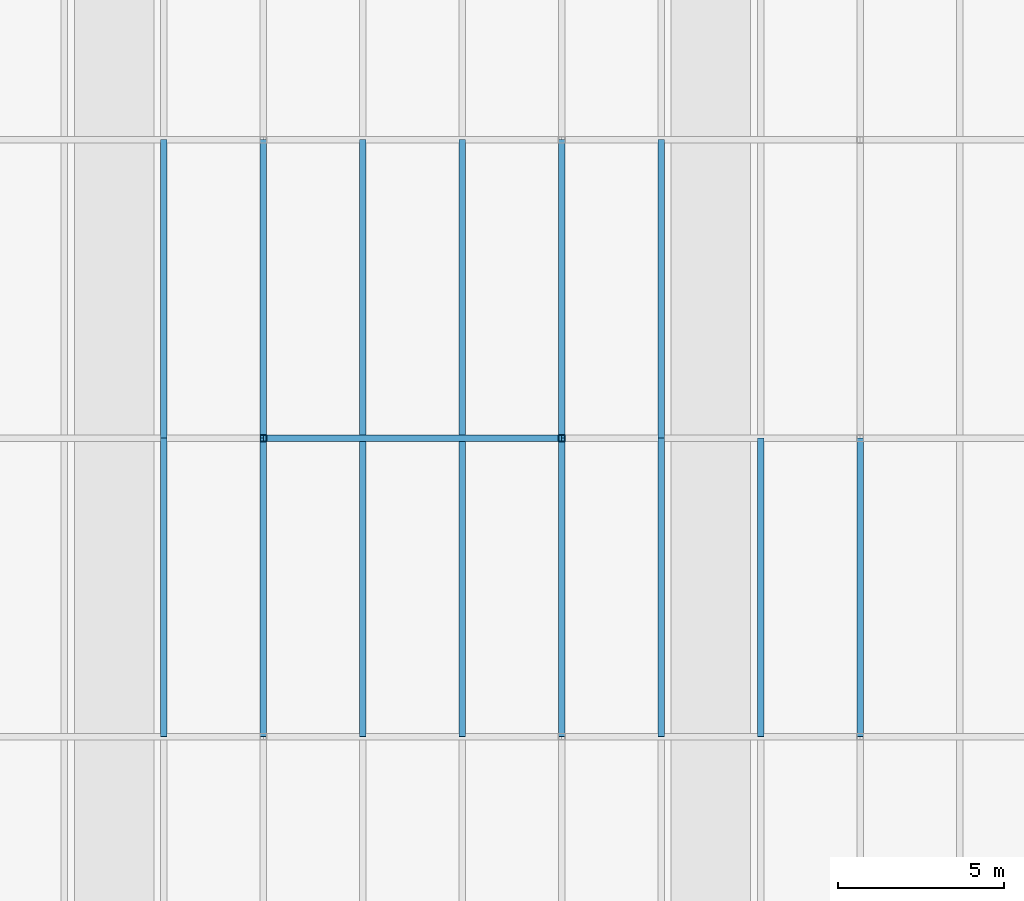
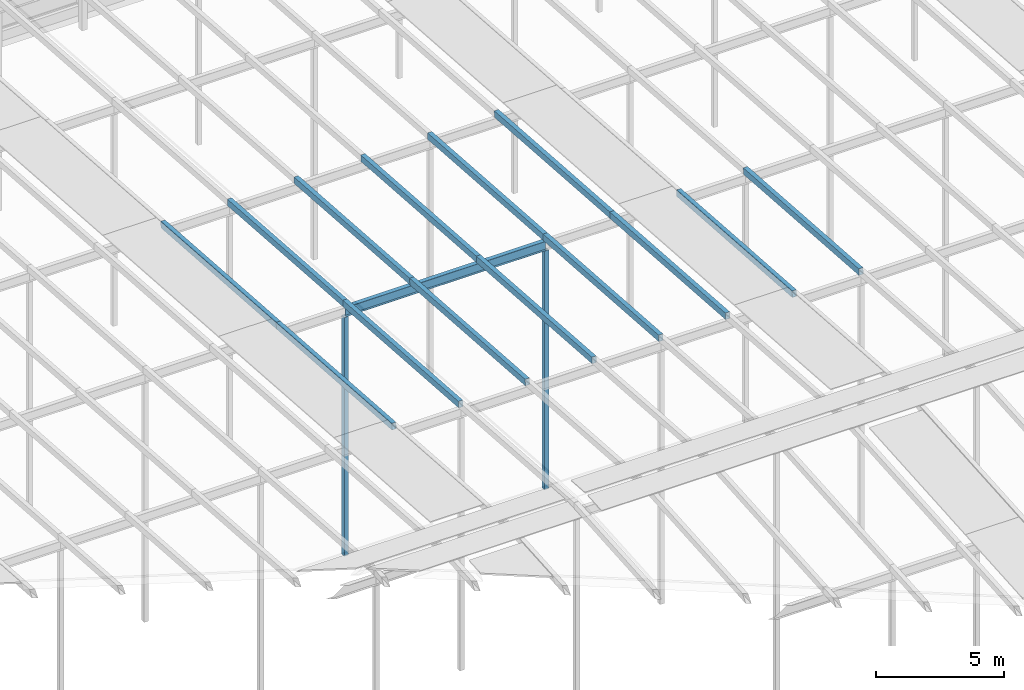
# One storey, part 39 of 84: 16 members, 1 beam.
"""IFC4 building model written with IfcOpenShell, lengths in metres."""

from ifc_helpers import new_model, si_unit, direction, frame, origin, origin_2d, place, context, subcontext, project, spatial, hollow_rectangle, i_section, extrude, material, material_profile, profile_set, type_object, element, save


model = new_model("IFC4")

# Units and contexts
model_context = context("Model", 3, precision=1e-05, world=origin(), true_north=direction((0.0, 1.0)))
body_context = subcontext(model_context, "Body", "Model", "MODEL_VIEW")
ifc_project = project(units=[si_unit("LENGTHUNIT", "METRE"), si_unit("AREAUNIT", "SQUARE_METRE"), si_unit("VOLUMEUNIT", "CUBIC_METRE"), si_unit("PLANEANGLEUNIT", "RADIAN"), si_unit("MASSUNIT", "GRAM", prefix="KILO")], contexts=[model_context])

# Site, building, storey
site_placement = place(None, origin())
site = spatial("IfcSite", under=ifc_project, at=site_placement, CompositionType="ELEMENT")
building_placement = place(site_placement, origin())
building = spatial("IfcBuilding", under=site, at=building_placement, Name="Silverbay Arena", CompositionType="ELEMENT")
storey_placement = place(building_placement, frame((0.0, 0.0, 47.10009765625)))
storey = spatial("IfcBuildingStorey", under=building, at=storey_placement, Name="ROOF", CompositionType="ELEMENT", Elevation=47.10009765625)

# Members
ifc_material_1 = material(Name="Steel S355", Category="steel")
ifc_material_profile_1 = material_profile(ifc_material_1, hollow_rectangle(XDim=0.199951171875, YDim=0.300048828125, WallThickness=0.00634765625, at=origin_2d()), Name="RHS 300x200x6.3")
ifc_profile_set_1 = profile_set([ifc_material_profile_1], Name="Steel S355")
member_type_1 = type_object("IfcMemberType", Name="Purlin RHS 300x200x6.3", PredefinedType="PURLIN", material=ifc_profile_set_1)
for number, where, z_axis, x_axis, name in (
    (1, (132.0, 90.0, 11.99951171875), (0.0, 0.997402911363, -0.072023832195), (-1.0, 0.0, 0.0), "ROOF PURLIN crown line 18 bay 08"),
    (2, (132.0, 99.0, 11.349609375), (0.0, 0.997400967367, -0.07205074805), (-1.0, 0.0, 0.0), "ROOF PURLIN crown line 18 bay 09"),
    (3, (135.0, 90.0, 11.99951171875), (0.0, 0.997402911363, -0.072023832195), (-1.0, 0.0, 0.0), "ROOF PURLIN crown line 19 bay 08"),
    (4, (135.0, 99.0, 11.349609375), (0.0, 0.997400967367, -0.07205074805), (-1.0, 0.0, 0.0), "ROOF PURLIN crown line 19 bay 09"),
    (5, (138.0, 90.0, 11.99951171875), (0.0, 0.997402911363, -0.072023832195), (-1.0, 0.0, 0.0), "ROOF PURLIN crown line 20 bay 08"),
    (6, (138.0, 99.0, 11.349609375), (0.0, 0.997400967367, -0.07205074805), (-1.0, 0.0, 0.0), "ROOF PURLIN crown line 20 bay 09"),
    (7, (141.0, 90.0, 11.99951171875), (0.0, 0.997402911363, -0.072023832195), (-1.0, 0.0, 0.0), "ROOF PURLIN crown line 21 bay 08"),
    (8, (141.0, 99.0, 11.349609375), (0.0, 0.997400967367, -0.07205074805), (-1.0, 0.0, 0.0), "ROOF PURLIN crown line 21 bay 09"),
    (9, (144.0, 90.0, 11.99951171875), (0.0, 0.997402911363, -0.072023832195), (-1.0, 0.0, 0.0), "ROOF PURLIN crown line 22 bay 08"),
    (10, (144.0, 99.0, 11.349609375), (0.0, 0.997400967367, -0.07205074805), (-1.0, 0.0, 0.0), "ROOF PURLIN crown line 22 bay 09"),
    (11, (147.0, 90.0, 11.99951171875), (0.0, 0.997402911363, -0.072023832195), (-1.0, 0.0, 0.0), "ROOF PURLIN crown line 23 bay 08"),
    (12, (147.0, 99.0, 11.349609375), (0.0, 0.997400967367, -0.07205074805), (-1.0, 0.0, 0.0), "ROOF PURLIN crown line 23 bay 09"),
    (13, (150.0, 90.0, 11.99951171875), (0.0, 0.997402911363, -0.072023832195), (-1.0, 0.0, 0.0), "ROOF PURLIN crown line 24 bay 08"),
    (14, (153.0, 90.0, 11.99951171875), (0.0, 0.997402911363, -0.072023832195), (-1.0, 0.0, 0.0), "ROOF PURLIN crown line 25 bay 08"),
):
    element("IfcMember", number, at=place(storey_placement, frame(where, z_axis=z_axis, x_axis=x_axis)), inside=storey, type_object=member_type_1, Name=name, PredefinedType="PURLIN", context=body_context, shape_type="SweptSolid", body=[
        extrude(hollow_rectangle(XDim=0.199951171875, YDim=0.300048828125, WallThickness=0.00634765625, at=origin_2d()), origin(), (0.0, 0.0, 1.0), 9.0234375),
    ])

# Beam
ifc_material_2 = material(Name="Steel S355", Category="steel")
ifc_material_profile_2 = material_profile(ifc_material_2, i_section(OverallWidth=0.18994140625, OverallDepth=0.453369140625, WebThickness=0.008544921875, FlangeThickness=0.0126953125, at=origin_2d()), Name="UB 457x191x67")
ifc_profile_set_2 = profile_set([ifc_material_profile_2], Name="Steel S355")
beam_type = type_object("IfcBeamType", Name="Ring beam UB 457x191x67", PredefinedType="BEAM", material=ifc_profile_set_2)
beam_placement = place(storey_placement, frame((135.0, 99.0, 10.972412109375), z_axis=(1.0, 0.0, 0.0), x_axis=(0.0, 1.0, 0.0)))
element("IfcBeam", 15, at=beam_placement, inside=storey, type_object=beam_type, Name="RING BEAM crown row 09 16-17", PredefinedType="BEAM", context=body_context, shape_type="SweptSolid", body=[
    extrude(i_section(OverallWidth=0.18994140625, OverallDepth=0.453369140625, WebThickness=0.008544921875, FlangeThickness=0.0126953125, at=origin_2d()), origin(), (0.0, 0.0, 1.0), 9.0),
])

# Members
ifc_material_3 = material(Name="Steel S355", Category="steel")
ifc_material_profile_3 = material_profile(ifc_material_3, hollow_rectangle(XDim=0.199951171875, YDim=0.199951171875, WallThickness=0.008056640625, at=origin_2d()), Name="SHS 200x200x8")
ifc_profile_set_3 = profile_set([ifc_material_profile_3], Name="Steel S355")
member_type_2 = type_object("IfcMemberType", Name="Roof post SHS 200x200x8", PredefinedType="POST", material=ifc_profile_set_3)
for number, where, z_axis, x_axis, name in (
    (16, (135.0, 99.0, -0.60009765625), (0.0, 0.0, 1.0), (1.0, 0.0, 0.0), "ROOF CROWN POST 16 row 09"),
    (17, (144.0, 99.0, -0.60009765625), (0.0, 0.0, 1.0), (1.0, 0.0, 0.0), "ROOF CROWN POST 17 row 09"),
):
    element("IfcMember", number, at=place(storey_placement, frame(where, z_axis=z_axis, x_axis=x_axis)), inside=storey, type_object=member_type_2, Name=name, PredefinedType="POST", context=body_context, shape_type="SweptSolid", body=[
        extrude(hollow_rectangle(XDim=0.199951171875, YDim=0.199951171875, WallThickness=0.008056640625, at=origin_2d()), origin(), (0.0, 0.0, 1.0), 11.345703125),
    ])

save(model, "model.ifc")
